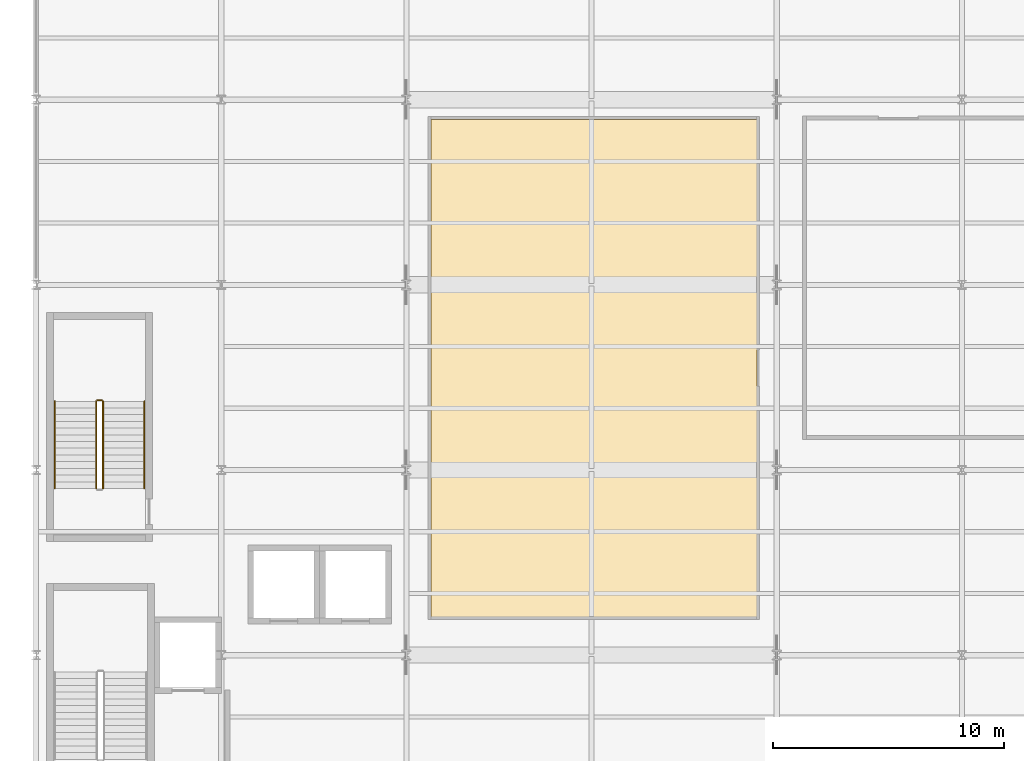
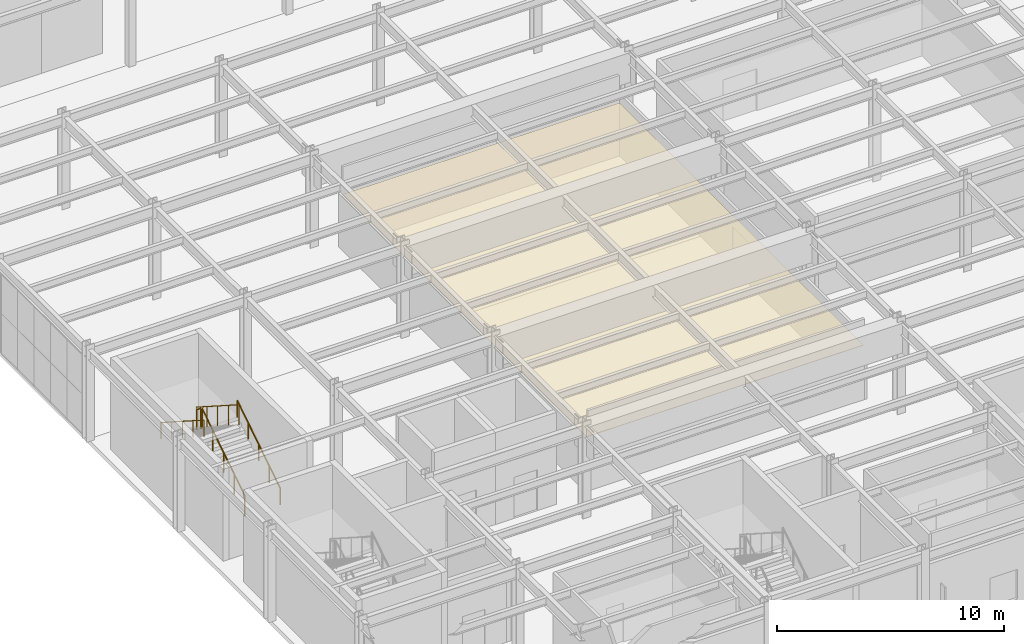
# One storey, part 68 of 77: 5 railings, 1 covering.
"""IFC4 building model written with IfcOpenShell, lengths in metres."""

from ifc_helpers import new_model, si_unit, direction, frame, origin, origin_2d, place, context, subcontext, project, spatial, polyline, circle, outline, extrude, material, layer, layer_set, type_object, element, save


model = new_model("IFC4")

# Units and contexts
model_context = context("Model", 3, precision=1e-05, world=origin(), true_north=direction((0.0, 1.0)))
body_context = subcontext(model_context, "Body", "Model", "MODEL_VIEW")
ifc_project = project(units=[si_unit("LENGTHUNIT", "METRE"), si_unit("AREAUNIT", "SQUARE_METRE"), si_unit("VOLUMEUNIT", "CUBIC_METRE"), si_unit("PLANEANGLEUNIT", "RADIAN"), si_unit("MASSUNIT", "GRAM", prefix="KILO")], contexts=[model_context])

# Site, building, storey
site_placement = place(None, origin())
site = spatial("IfcSite", under=ifc_project, at=site_placement, CompositionType="ELEMENT")
building_placement = place(site_placement, origin())
building = spatial("IfcBuilding", under=site, at=building_placement, Name="Drelvath Fold Interchange", CompositionType="ELEMENT")
storey_placement = place(building_placement, frame((0.0, 0.0, 6.0)))
storey = spatial("IfcBuildingStorey", under=building, at=storey_placement, Name="L01", CompositionType="ELEMENT", Elevation=6.0)

# Covering
ifc_material_1 = material(Name="Perforated Aluminium Acoustic Ceiling", Category="aluminium")
ifc_layer = layer(ifc_material_1, 0.01806640625, Name="Perforated Aluminium Acoustic Ceiling")
ifc_layer_set = layer_set([ifc_layer], Name="Perforated Aluminium Acoustic Ceiling")
covering_type = type_object("IfcCoveringType", Name="CV-CEIL-AL18", PredefinedType="CEILING", material=ifc_layer_set)
covering_placement = place(storey_placement, frame((0.0, 0.0, 2.830078125)))
element("IfcCovering", 1, at=covering_placement, inside=storey, type_object=covering_type, Name="Public Transit Exhibition Gallery acoustic ceiling", PredefinedType="CEILING", context=body_context, shape_type="SweptSolid", body=[
    extrude(outline(polyline([(21.054931640625, 20.655029296875), (35.14501953125, 20.655029296875), (35.14501953125, 42.14501953125), (21.054931640625, 42.14501953125), (21.054931640625, 20.655029296875)])), origin(), (0.0, 0.0, 1.0), 0.02001953125),
])

# Railings
ifc_material_2 = material(Name="Stainless Steel 316L", Category="steel")
railing_type_1 = type_object("IfcRailingType", Name="RL-GRD1100", PredefinedType="GUARDRAIL", material=ifc_material_2)
railing_1_placement = place(storey_placement, frame((6.889892578125, 26.199951171875, 0.185791015625)))
element("IfcRailing", 2, at=railing_1_placement, inside=storey, type_object=railing_type_1, Name="L01 ST-02 stair guard 1", PredefinedType="GUARDRAIL", context=body_context, shape_type="SweptSolid", body=[
    extrude(circle(Radius=0.02392578125, at=origin_2d()), frame((0.0, 0.0, 1.076171875), z_axis=(0.0, 0.84211983486, 0.539290444692), x_axis=(-1.0, 0.0, 0.0)), (0.0, 0.0, 1.0), 4.476806640625),
    extrude(circle(Radius=0.02099609375, at=origin_2d()), origin(), (0.0, 0.0, 1.0), 1.052001953125),
    extrude(circle(Radius=0.02099609375, at=origin_2d()), frame((0.0, 0.9423828125, 0.603515625)), (0.0, 0.0, 1.0), 1.052001953125),
    extrude(circle(Radius=0.02099609375, at=origin_2d()), frame((0.0, 1.885009765625, 1.20703125)), (0.0, 0.0, 1.0), 1.052001953125),
    extrude(circle(Radius=0.02099609375, at=origin_2d()), frame((0.0, 2.82763671875, 1.810791015625)), (0.0, 0.0, 1.0), 1.052001953125),
    extrude(circle(Radius=0.02099609375, at=origin_2d()), frame((0.0, 3.77001953125, 2.414306640625)), (0.0, 0.0, 1.0), 1.052001953125),
])
railing_2_placement = place(storey_placement, frame((6.840087890625, 30.02001953125, 2.60009765625)))
element("IfcRailing", 3, at=railing_2_placement, inside=storey, type_object=railing_type_1, Name="L01 ST-02 stair guard 2", PredefinedType="GUARDRAIL", context=body_context, shape_type="SweptSolid", body=[
    extrude(circle(Radius=0.02392578125, at=origin_2d()), frame((0.0, 0.0, 1.076171875), z_axis=(-1.0, 0.0, 0.0), x_axis=(0.0, -1.0, 0.0)), (0.0, 0.0, 1.0), 0.2001953125),
    extrude(circle(Radius=0.02099609375, at=origin_2d()), origin(), (0.0, 0.0, 1.0), 1.052001953125),
    extrude(circle(Radius=0.02099609375, at=origin_2d()), frame((-0.2001953125, 0.0, 0.0)), (0.0, 0.0, 1.0), 1.052001953125),
])
railing_3_placement = place(storey_placement, frame((6.590087890625, 29.969970703125, 2.78564453125)))
element("IfcRailing", 4, at=railing_3_placement, inside=storey, type_object=railing_type_1, Name="L01 ST-02 stair guard 3", PredefinedType="GUARDRAIL", context=body_context, shape_type="SweptSolid", body=[
    extrude(circle(Radius=0.02392578125, at=origin_2d()), frame((0.0, 0.0, 1.076171875), z_axis=(0.0, -0.84211983486, 0.539290444692), x_axis=(1.0, 0.0, 0.0)), (0.0, 0.0, 1.0), 4.476806640625),
    extrude(circle(Radius=0.02099609375, at=origin_2d()), origin(), (0.0, 0.0, 1.0), 1.052001953125),
    extrude(circle(Radius=0.02099609375, at=origin_2d()), frame((0.0, -0.9423828125, 0.603515625)), (0.0, 0.0, 1.0), 1.052001953125),
    extrude(circle(Radius=0.02099609375, at=origin_2d()), frame((0.0, -1.885009765625, 1.20703125)), (0.0, 0.0, 1.0), 1.052001953125),
    extrude(circle(Radius=0.02099609375, at=origin_2d()), frame((0.0, -2.82763671875, 1.810791015625)), (0.0, 0.0, 1.0), 1.052001953125),
    extrude(circle(Radius=0.02099609375, at=origin_2d()), frame((0.0, -3.77001953125, 2.414306640625)), (0.0, 0.0, 1.0), 1.052001953125),
])
railing_type_2 = type_object("IfcRailingType", Name="RL-HND920", PredefinedType="HANDRAIL", material=ifc_material_2)
railing_4_placement = place(storey_placement, frame((8.679931640625, 26.199951171875, 0.185791015625)))
element("IfcRailing", 5, at=railing_4_placement, inside=storey, type_object=railing_type_2, Name="L01 ST-02 stair handrail 1", PredefinedType="HANDRAIL", context=body_context, shape_type="SweptSolid", body=[
    extrude(circle(Radius=0.02392578125, at=origin_2d()), frame((0.0, 0.0, 0.8759765625), z_axis=(0.0, 0.84211983486, 0.539290444692), x_axis=(-1.0, 0.0, 0.0)), (0.0, 0.0, 1.0), 4.476806640625),
    extrude(circle(Radius=0.02099609375, at=origin_2d()), origin(), (0.0, 0.0, 1.0), 0.851806640625),
    extrude(circle(Radius=0.02099609375, at=origin_2d()), frame((0.0, 0.9423828125, 0.603515625)), (0.0, 0.0, 1.0), 0.851806640625),
    extrude(circle(Radius=0.02099609375, at=origin_2d()), frame((0.0, 1.885009765625, 1.20703125)), (0.0, 0.0, 1.0), 0.851806640625),
    extrude(circle(Radius=0.02099609375, at=origin_2d()), frame((0.0, 2.82763671875, 1.810791015625)), (0.0, 0.0, 1.0), 0.851806640625),
    extrude(circle(Radius=0.02099609375, at=origin_2d()), frame((0.0, 3.77001953125, 2.414306640625)), (0.0, 0.0, 1.0), 0.851806640625),
])
railing_5_placement = place(storey_placement, frame((4.800048828125, 29.969970703125, 2.78564453125)))
element("IfcRailing", 6, at=railing_5_placement, inside=storey, type_object=railing_type_2, Name="L01 ST-02 stair handrail 2", PredefinedType="HANDRAIL", context=body_context, shape_type="SweptSolid", body=[
    extrude(circle(Radius=0.02392578125, at=origin_2d()), frame((0.0, 0.0, 0.8759765625), z_axis=(0.0, -0.84211983486, 0.539290444692), x_axis=(1.0, 0.0, 0.0)), (0.0, 0.0, 1.0), 4.476806640625),
    extrude(circle(Radius=0.02099609375, at=origin_2d()), origin(), (0.0, 0.0, 1.0), 0.851806640625),
    extrude(circle(Radius=0.02099609375, at=origin_2d()), frame((0.0, -0.9423828125, 0.603515625)), (0.0, 0.0, 1.0), 0.851806640625),
    extrude(circle(Radius=0.02099609375, at=origin_2d()), frame((0.0, -1.885009765625, 1.20703125)), (0.0, 0.0, 1.0), 0.851806640625),
    extrude(circle(Radius=0.02099609375, at=origin_2d()), frame((0.0, -2.82763671875, 1.810791015625)), (0.0, 0.0, 1.0), 0.851806640625),
    extrude(circle(Radius=0.02099609375, at=origin_2d()), frame((0.0, -3.77001953125, 2.414306640625)), (0.0, 0.0, 1.0), 0.851806640625),
])

save(model, "model.ifc")
